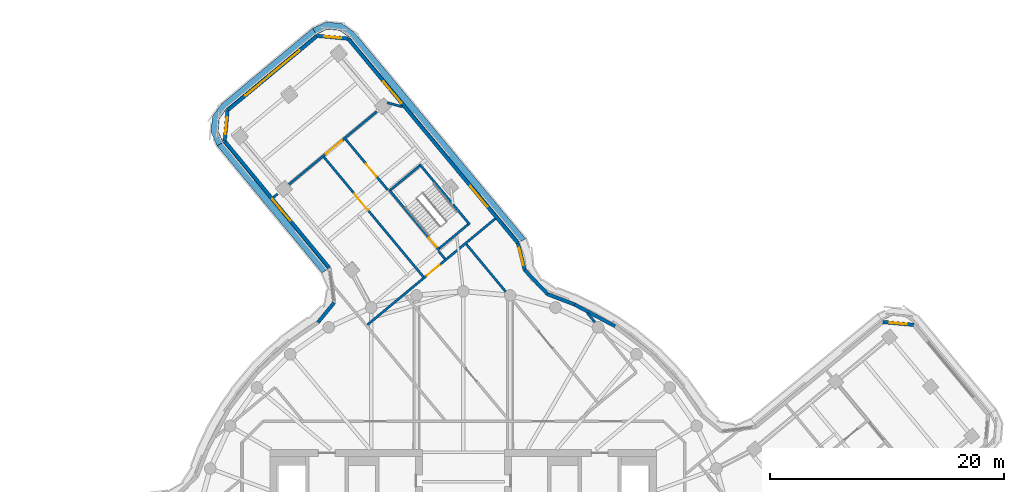
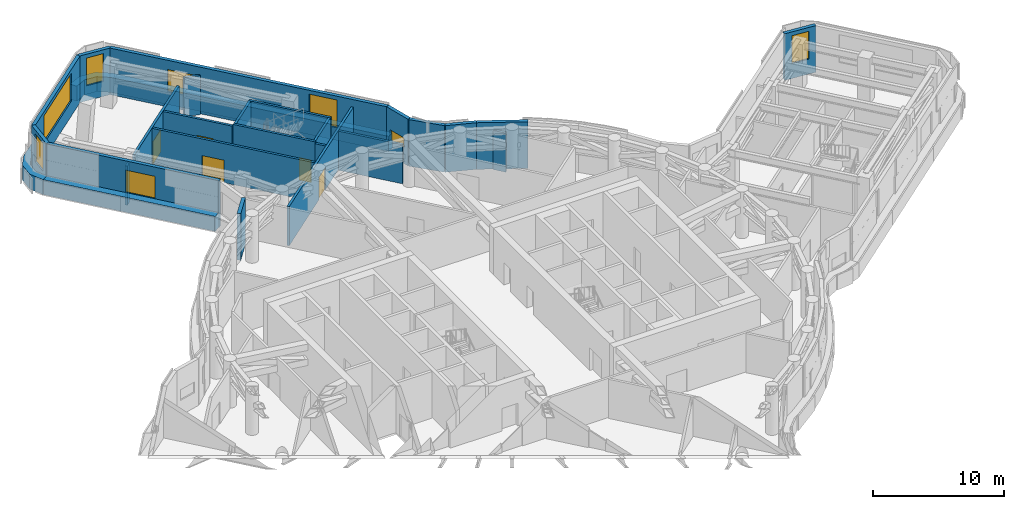
# One storey, part 13 of 22: 24 walls, 8 windows, 5 doors, 3 members, 13 openings.
"""IFC4 building model written with IfcOpenShell, lengths in metres."""

from ifc_helpers import new_model, si_unit, direction, frame, frame_2d, origin, place, context, subcontext, project, spatial, polyline, rectangle, outline, extrude, material, layer, layer_set, type_object, element, fill, aggregate, save


model = new_model("IFC4")

# Units and contexts
model_context = context("Model", 3, precision=1e-05, world=origin(), true_north=direction((0.0, 1.0)))
body_context = subcontext(model_context, "Body", "Model", "MODEL_VIEW")
ifc_project = project(units=[si_unit("LENGTHUNIT", "METRE"), si_unit("AREAUNIT", "SQUARE_METRE"), si_unit("VOLUMEUNIT", "CUBIC_METRE"), si_unit("PLANEANGLEUNIT", "RADIAN"), si_unit("MASSUNIT", "GRAM", prefix="KILO")], contexts=[model_context])

# Member
ifc_material_1 = material(Name="Aluminium and insulated spandrel panel", Category="aluminium")
member_type = type_object("IfcMemberType", Name="Floor-edge blade transom", PredefinedType="USERDEFINED", material=ifc_material_1)
site_placement = place(None, origin())
building_placement = place(site_placement, origin())
storey_placement = place(building_placement, frame((0.0, 0.0, 178.0)))
member_1_placement = place(storey_placement, origin())
member_1 = element("IfcMember", 1, at=member_1_placement, type_object=member_type, Name="CWT-L44-11", ObjectType="TRANSOM", PredefinedType="USERDEFINED", context=body_context, shape_type="SweptSolid", body=[
    extrude(outline(polyline([(4.7900390625, 27.18896484375), (-9.7353515625, 44.683349609375), (-10.580322265625, 45.281494140625), (-11.611083984375, 45.377197265625), (-12.5517578125, 44.9443359375), (-12.874267578125, 45.45654296875), (-11.7158203125, 45.989501953125), (-10.36474609375, 45.864013671875), (-9.32421875, 45.12744140625), (5.316650390625, 27.494140625), (4.7900390625, 27.18896484375)])), origin(), (0.0, 0.0, 1.0), 1.39990234375),
])

member_2_placement = place(storey_placement, origin())
member_2 = element("IfcMember", 2, at=member_2_placement, type_object=member_type, Name="CWT-L44-12", ObjectType="TRANSOM", PredefinedType="USERDEFINED", context=body_context, shape_type="SweptSolid", body=[
    extrude(outline(polyline([(-12.5517578125, 44.9443359375), (-20.245361328125, 38.556396484375), (-20.843505859375, 37.71142578125), (-20.939208984375, 36.6806640625), (-20.506591796875, 35.739990234375), (-21.01904296875, 35.41845703125), (-21.551513671875, 36.575927734375), (-21.42626953125, 37.927001953125), (-20.689453125, 38.967529296875), (-12.874267578125, 45.45654296875), (-12.5517578125, 44.9443359375)])), origin(), (0.0, 0.0, 1.0), 1.39990234375),
])

member_3_placement = place(storey_placement, origin())
member_3 = element("IfcMember", 3, at=member_3_placement, type_object=member_type, Name="CWT-L44-13", ObjectType="TRANSOM", PredefinedType="USERDEFINED", context=body_context, shape_type="SweptSolid", body=[
    extrude(outline(polyline([(-20.506591796875, 35.739990234375), (-11.555419921875, 24.895263671875), (-12.072998046875, 24.57958984375), (-21.01904296875, 35.41845703125), (-20.506591796875, 35.739990234375)])), origin(), (0.0, 0.0, 1.0), 1.39990234375),
])

# Site, building, storey
site = spatial("IfcSite", under=ifc_project, at=site_placement, CompositionType="ELEMENT")
building = spatial("IfcBuilding", under=site, at=building_placement, Name="Tamarind Cross Interchange Tower", CompositionType="ELEMENT")
storey = spatial("IfcBuildingStorey", under=building, at=storey_placement, Name="L44", CompositionType="ELEMENT", Elevation=178.0)

# Wall, opening, door
ifc_material_2 = material(Name="Gypsum board partition on steel studs", Category="steel")
ifc_layer_1 = layer(ifc_material_2, 0.199951171875)
ifc_layer_set_1 = layer_set([ifc_layer_1], Name="Gypsum board partition on steel studs")
wall_type_1 = type_object("IfcWallType", Name="Partition 200 mm EI 180", PredefinedType="PARTITIONING", material=ifc_layer_set_1)
wall_1_placement = place(storey_placement, frame((-11.91015625, 34.467041015625, 0.0), z_axis=(0.0, 0.0, 1.0), x_axis=(0.638751479964, -0.76941311845, 0.0)))
wall_1 = element("IfcWall", 4, at=wall_1_placement, inside=storey, type_object=wall_type_1, Name="Partition L44-008", PredefinedType="PARTITIONING", context=body_context, shape_type="SweptSolid", body=[
    extrude(rectangle(XDim=13.300048828125, YDim=0.199951171875, at=frame_2d((6.64990234375, 0.0))), origin(), (0.0, 0.0, 1.0), 3.659912109375),
])
opening_1_placement = place(wall_1_placement, frame((4.10009765625, 0.0, 0.0)))
opening_1 = element("IfcOpeningElement", 5, at=opening_1_placement, cuts=wall_1, Name="Opening D03", PredefinedType="OPENING", context=body_context, shape_type="SweptSolid", body=[
    extrude(rectangle(XDim=1.800048828125, YDim=2.10009765625, at=frame_2d((0.89990234375, 1.050048828125))), frame((0.0, 0.10986328125, 0.0), z_axis=(0.0, -1.0, 0.0), x_axis=(1.0, 0.0, 0.0)), (0.0, 0.0, 1.0), 0.219970703125),
])
ifc_material_3 = material(Name="Fire-resisting door set")
door_type_1 = type_object("IfcDoorType", Name="Interior door 1800 x 2100 FD120S", OperationType="DOUBLE_DOOR_SINGLE_SWING", PredefinedType="DOOR", material=ifc_material_3)
door_1_placement = place(opening_1_placement, frame((1.800048828125, 0.0, 0.0), z_axis=(0.0, 0.0, 1.0), x_axis=(-1.0, 0.0, 0.0)))
door_1 = element("IfcDoor", 6, at=door_1_placement, inside=storey, type_object=door_type_1, Name="Door D03", OperationType="DOUBLE_DOOR_SINGLE_SWING", OverallHeight=2.10009765625, OverallWidth=1.800048828125, PredefinedType="DOOR", context=body_context, shape_type="SweptSolid", body=[
    extrude(rectangle(XDim=1.800048828125, YDim=2.10009765625, at=frame_2d((0.89990234375, 1.050048828125))), frame((0.0, 0.02490234375, 0.0), z_axis=(0.0, -1.0, 0.0), x_axis=(1.0, 0.0, 0.0)), (0.0, 0.0, 1.0), 0.050048828125),
])
fill(opening_1, door_1)

wall_2_placement = place(storey_placement, frame((-10.05126953125, 35.984619140625, 0.0), z_axis=(0.0, 0.0, 1.0), x_axis=(0.638795500488, -0.769376571359, 0.0)))
wall_2 = element("IfcWall", 7, at=wall_2_placement, inside=storey, type_object=wall_type_1, Name="Partition L44-012", PredefinedType="PARTITIONING", context=body_context, shape_type="SweptSolid", body=[
    extrude(rectangle(XDim=5.640625, YDim=0.199951171875, at=frame_2d((2.8203125, 0.0))), origin(), (0.0, 0.0, 1.0), 3.659912109375),
])
opening_2_placement = place(wall_2_placement, frame((2.72998046875, 0.0, 0.0)))
opening_2 = element("IfcOpeningElement", 8, at=opening_2_placement, cuts=wall_2, Name="Opening D06", PredefinedType="OPENING", context=body_context, shape_type="SweptSolid", body=[
    extrude(rectangle(XDim=1.39990234375, YDim=2.10009765625, at=frame_2d((0.699951171875, 1.050048828125))), frame((0.0, 0.10986328125, 0.0), z_axis=(0.0, -1.0, 0.0), x_axis=(1.0, 0.0, 0.0)), (0.0, 0.0, 1.0), 0.219970703125),
])
door_type_2 = type_object("IfcDoorType", Name="Interior door 1400 x 2100 FD120S", OperationType="DOUBLE_DOOR_SINGLE_SWING", PredefinedType="DOOR", material=ifc_material_3)
door_2_placement = place(opening_2_placement, origin())
door_2 = element("IfcDoor", 9, at=door_2_placement, inside=storey, type_object=door_type_2, Name="Door D06", OperationType="DOUBLE_DOOR_SINGLE_SWING", OverallHeight=2.10009765625, OverallWidth=1.39990234375, PredefinedType="DOOR", context=body_context, shape_type="SweptSolid", body=[
    extrude(rectangle(XDim=1.39990234375, YDim=2.10009765625, at=frame_2d((0.699951171875, 1.050048828125))), frame((0.0, 0.02490234375, 0.0), z_axis=(0.0, -1.0, 0.0), x_axis=(1.0, 0.0, 0.0)), (0.0, 0.0, 1.0), 0.050048828125),
])
fill(opening_2, door_2)

# Walls
wall_3_placement = place(storey_placement, frame((-2.1171875, 26.428466796875, 0.0), z_axis=(0.0, 0.0, 1.0), x_axis=(0.638787086354, -0.769383557342, 0.0)))
element("IfcWall", 10, at=wall_3_placement, inside=storey, type_object=wall_type_1, Name="Partition L44-013", PredefinedType="PARTITIONING", context=body_context, shape_type="SweptSolid", body=[
    extrude(rectangle(XDim=0.85986328125, YDim=0.199951171875, at=frame_2d((0.429931640625, 0.0))), origin(), (0.0, 0.0, 1.0), 3.659912109375),
])
wall_4_placement = place(storey_placement, frame((0.2646484375, 27.003662109375, 0.0), z_axis=(0.0, 0.0, 1.0), x_axis=(0.638800609609, -0.769372329346, 0.0)))
element("IfcWall", 11, at=wall_4_placement, inside=storey, type_object=wall_type_1, Name="Partition L44-017", PredefinedType="PARTITIONING", context=body_context, shape_type="SweptSolid", body=[
    extrude(rectangle(XDim=5.24462890625, YDim=0.199951171875, at=frame_2d((2.622314453125, 0.0))), origin(), (0.0, 0.0, 1.0), 3.659912109375),
])
wall_5_placement = place(storey_placement, frame((10.5888671875, 21.14453125, 0.0), z_axis=(0.0, 0.0, 1.0), x_axis=(0.638680728565, -0.769471849362, 0.0)))
element("IfcWall", 12, at=wall_5_placement, inside=storey, type_object=wall_type_1, Name="Partition L44-024", PredefinedType="PARTITIONING", context=body_context, shape_type="SweptSolid", body=[
    extrude(rectangle(XDim=1.02294921875, YDim=0.199951171875, at=frame_2d((0.511474609375, 0.0))), origin(), (0.0, 0.0, 1.0), 3.659912109375),
])
wall_6_placement = place(storey_placement, frame((-16.21923828125, 31.0185546875, 0.0), z_axis=(0.0, 0.0, 1.0), x_axis=(0.769341564871, 0.63883766057, 0.0)))
element("IfcWall", 13, at=wall_6_placement, inside=storey, type_object=wall_type_1, Name="Partition L44-045", PredefinedType="PARTITIONING", context=body_context, shape_type="SweptSolid", body=[
    extrude(rectangle(XDim=0.4638671875, YDim=0.199951171875, at=frame_2d((0.23193359375, 0.0))), origin(), (0.0, 0.0, 1.0), 3.659912109375),
])

# Wall, opening, door
wall_7_placement = place(storey_placement, frame((-14.951904296875, 32.071044921875, 0.0), z_axis=(0.0, 0.0, 1.0), x_axis=(0.769322083472, 0.638861120966, 0.0)))
wall_7 = element("IfcWall", 14, at=wall_7_placement, inside=storey, type_object=wall_type_1, Name="Partition L44-046", PredefinedType="PARTITIONING", context=body_context, shape_type="SweptSolid", body=[
    extrude(rectangle(XDim=9.82470703125, YDim=0.199951171875, at=frame_2d((4.912353515625, 0.0))), origin(), (0.0, 0.0, 1.0), 3.659912109375),
])
opening_3_placement = place(wall_7_placement, frame((4.1708984375, 0.0, 0.0)))
opening_3 = element("IfcOpeningElement", 15, at=opening_3_placement, cuts=wall_7, Name="Opening D26", PredefinedType="OPENING", context=body_context, shape_type="SweptSolid", body=[
    extrude(rectangle(XDim=1.800048828125, YDim=2.10009765625, at=frame_2d((0.89990234375, 1.050048828125))), frame((0.0, 0.10986328125, 0.0), z_axis=(0.0, -1.0, 0.0), x_axis=(1.0, 0.0, 0.0)), (0.0, 0.0, 1.0), 0.219970703125),
])
door_3_placement = place(opening_3_placement, origin())
door_3 = element("IfcDoor", 16, at=door_3_placement, inside=storey, type_object=door_type_1, Name="Door D26", OperationType="DOUBLE_DOOR_SINGLE_SWING", OverallHeight=2.10009765625, OverallWidth=1.800048828125, PredefinedType="DOOR", context=body_context, shape_type="SweptSolid", body=[
    extrude(rectangle(XDim=1.800048828125, YDim=2.10009765625, at=frame_2d((0.89990234375, 1.050048828125))), frame((0.0, 0.02490234375, 0.0), z_axis=(0.0, -1.0, 0.0), x_axis=(1.0, 0.0, 0.0)), (0.0, 0.0, 1.0), 0.050048828125),
])
fill(opening_3, door_3)

# Wall
wall_8_placement = place(storey_placement, frame((-6.483154296875, 39.103759765625, 0.0), z_axis=(0.0, 0.0, 1.0), x_axis=(0.965039962168, -0.26210278789, 0.0)))
element("IfcWall", 17, at=wall_8_placement, inside=storey, type_object=wall_type_1, Name="Partition L44-047", PredefinedType="PARTITIONING", context=body_context, shape_type="SweptSolid", body=[
    extrude(rectangle(XDim=1.32373046875, YDim=0.199951171875, at=frame_2d((0.661865234375, 0.0))), origin(), (0.0, 0.0, 1.0), 3.659912109375),
])

# Wall, opening, door
wall_9_placement = place(storey_placement, frame((-8.1826171875, 20.1455078125, 0.0), z_axis=(0.0, 0.0, 1.0), x_axis=(0.769416749811, 0.638747105755, 0.0)))
wall_9 = element("IfcWall", 18, at=wall_9_placement, inside=storey, type_object=wall_type_1, Name="Partition L44-049", PredefinedType="PARTITIONING", context=body_context, shape_type="SweptSolid", body=[
    extrude(rectangle(XDim=14.17919921875, YDim=0.199951171875, at=frame_2d((7.089599609375, 0.0))), origin(), (0.0, 0.0, 1.0), 3.659912109375),
])
opening_4_placement = place(wall_9_placement, frame((6.579833984375, 0.0, 0.0)))
opening_4 = element("IfcOpeningElement", 19, at=opening_4_placement, cuts=wall_9, Name="Opening D27", PredefinedType="OPENING", context=body_context, shape_type="SweptSolid", body=[
    extrude(rectangle(XDim=1.39990234375, YDim=2.10009765625, at=frame_2d((0.699951171875, 1.050048828125))), frame((0.0, 0.10986328125, 0.0), z_axis=(0.0, -1.0, 0.0), x_axis=(1.0, 0.0, 0.0)), (0.0, 0.0, 1.0), 0.219970703125),
])
door_4_placement = place(opening_4_placement, frame((1.39990234375, 0.0, 0.0), z_axis=(0.0, 0.0, 1.0), x_axis=(-1.0, 0.0, 0.0)))
door_4 = element("IfcDoor", 20, at=door_4_placement, inside=storey, type_object=door_type_2, Name="Door D27", OperationType="DOUBLE_DOOR_SINGLE_SWING", OverallHeight=2.10009765625, OverallWidth=1.39990234375, PredefinedType="DOOR", context=body_context, shape_type="SweptSolid", body=[
    extrude(rectangle(XDim=1.39990234375, YDim=2.10009765625, at=frame_2d((0.699951171875, 1.050048828125))), frame((0.0, 0.02490234375, 0.0), z_axis=(0.0, -1.0, 0.0), x_axis=(1.0, 0.0, 0.0)), (0.0, 0.0, 1.0), 0.050048828125),
])
fill(opening_4, door_4)

# Wall, opening, window
ifc_material_4 = material(Name="Precast concrete C40", Category="concrete")
ifc_layer_2 = layer(ifc_material_4, 0.300048828125)
ifc_layer_set_2 = layer_set([ifc_layer_2], Name="Precast concrete C40")
wall_type_2 = type_object("IfcWallType", Name="Plant louvre wall", PredefinedType="SOLIDWALL", material=ifc_layer_set_2)
wall_10_placement = place(storey_placement, frame((38.45361328125, 20.13427734375, 0.0), z_axis=(0.0, 0.0, 1.0), x_axis=(-0.995728893751, 0.092325349444, 0.0)))
wall_10 = element("IfcWall", 21, at=wall_10_placement, inside=storey, type_object=wall_type_2, Name="EXW-L44-08-01", PredefinedType="SOLIDWALL", context=body_context, shape_type="SweptSolid", body=[
    extrude(rectangle(XDim=2.644287109375, YDim=0.300048828125, at=frame_2d((1.322265625, 0.0))), origin(), (0.0, 0.0, 1.0), 4.360107421875),
])
opening_5_placement = place(wall_10_placement, frame((0.60009765625, 0.0, 1.39990234375)))
opening_5 = element("IfcOpeningElement", 22, at=opening_5_placement, cuts=wall_10, Name="Opening W2", PredefinedType="OPENING", context=body_context, shape_type="SweptSolid", body=[
    extrude(rectangle(XDim=1.4443359375, YDim=2.60009765625, at=frame_2d((0.72216796875, 1.300048828125))), frame((0.0, 0.159912109375, 0.0), z_axis=(0.0, -1.0, 0.0), x_axis=(1.0, 0.0, 0.0)), (0.0, 0.0, 1.0), 0.320068359375),
])
ifc_material_5 = material(Name="Aluminium louvre", Category="aluminium")
window_type_1 = type_object("IfcWindowType", Name="Plant louvre bank", PartitioningType="SINGLE_PANEL", PredefinedType="WINDOW", material=ifc_material_5)
window_1_placement = place(opening_5_placement, origin())
window_1 = element("IfcWindow", 23, at=window_1_placement, inside=storey, type_object=window_type_1, Name="WIN-L44-08-01", OverallHeight=2.60009765625, OverallWidth=1.4443359375, PartitioningType="SINGLE_PANEL", PredefinedType="WINDOW", context=body_context, shape_type="SweptSolid", body=[
    extrude(rectangle(XDim=1.4443359375, YDim=2.60009765625, at=frame_2d((0.72216796875, 1.300048828125))), frame((0.0, 0.030029296875, 0.0), z_axis=(0.0, -1.0, 0.0), x_axis=(1.0, 0.0, 0.0)), (0.0, 0.0, 1.0), 0.06005859375),
])
fill(opening_5, window_1)

# Walls
wall_11_placement = place(storey_placement, frame((12.956298828125, 20.018798828125, 0.0), z_axis=(0.0, 0.0, 1.0), x_axis=(-0.881502086513, 0.472180126088, 0.0)))
element("IfcWall", 24, at=wall_11_placement, inside=storey, type_object=wall_type_2, Name="EXW-L44-10-05", PredefinedType="SOLIDWALL", context=body_context, shape_type="SweptSolid", body=[
    extrude(rectangle(XDim=3.9384765625, YDim=0.300048828125, at=frame_2d((1.96923828125, 0.0))), origin(), (0.0, 0.0, 1.0), 4.360107421875),
])
wall_12_placement = place(storey_placement, frame((9.484619140625, 21.87841796875, 0.0), z_axis=(0.0, 0.0, 1.0), x_axis=(-0.934589006156, 0.355729376875, 0.0)))
element("IfcWall", 25, at=wall_12_placement, inside=storey, type_object=wall_type_2, Name="EXW-L44-10-06", PredefinedType="SOLIDWALL", context=body_context, shape_type="SweptSolid", body=[
    extrude(rectangle(XDim=2.443359375, YDim=0.300048828125, at=frame_2d((1.2216796875, 0.0))), origin(), (0.0, 0.0, 1.0), 4.360107421875),
])
wall_13_placement = place(storey_placement, frame((7.201171875, 22.74755859375, 0.0), z_axis=(0.0, 0.0, 1.0), x_axis=(-0.68820939497, 0.725512114768, 0.0)))
element("IfcWall", 26, at=wall_13_placement, inside=storey, type_object=wall_type_2, Name="EXW-L44-10-07", PredefinedType="SOLIDWALL", context=body_context, shape_type="SweptSolid", body=[
    extrude(rectangle(XDim=2.840576171875, YDim=0.300048828125, at=frame_2d((1.42041015625, 0.0))), origin(), (0.0, 0.0, 1.0), 4.360107421875),
])

# Wall, opening, window
wall_14_placement = place(storey_placement, frame((5.246337890625, 24.808349609375, 0.0), z_axis=(0.0, 0.0, 1.0), x_axis=(-0.247219185913, 0.968959583325, 0.0)))
wall_14 = element("IfcWall", 27, at=wall_14_placement, inside=storey, type_object=wall_type_2, Name="EXW-L44-10-08", PredefinedType="SOLIDWALL", context=body_context, shape_type="SweptSolid", body=[
    extrude(rectangle(XDim=2.3779296875, YDim=0.300048828125, at=frame_2d((1.18896484375, 0.0))), origin(), (0.0, 0.0, 1.0), 4.360107421875),
])
opening_6_placement = place(wall_14_placement, frame((0.449951171875, 0.0, 1.39990234375)))
opening_6 = element("IfcOpeningElement", 28, at=opening_6_placement, cuts=wall_14, Name="Opening W5", PredefinedType="OPENING", context=body_context, shape_type="SweptSolid", body=[
    extrude(rectangle(XDim=1.5, YDim=1.0, at=frame_2d((0.75, 0.5))), frame((0.0, 0.159912109375, 0.0), z_axis=(0.0, -1.0, 0.0), x_axis=(1.0, 0.0, 0.0)), (0.0, 0.0, 1.0), 0.320068359375),
])
ifc_material_6 = material(Name="Aluminium and fire-resisting glass", Category="aluminium")
window_type_2 = type_object("IfcWindowType", Name="Refuge opening window", PartitioningType="DOUBLE_PANEL_VERTICAL", PredefinedType="WINDOW", material=ifc_material_6)
window_2_placement = place(opening_6_placement, origin())
window_2 = element("IfcWindow", 29, at=window_2_placement, inside=storey, type_object=window_type_2, Name="RSW-L44-10-00", OverallHeight=1.0, OverallWidth=1.5, PartitioningType="SINGLE_PANEL", PredefinedType="WINDOW", context=body_context, shape_type="SweptSolid", body=[
    extrude(rectangle(XDim=1.5, YDim=1.0, at=frame_2d((0.75, 0.5))), frame((0.0, 0.030029296875, 0.0), z_axis=(0.0, -1.0, 0.0), x_axis=(1.0, 0.0, 0.0)), (0.0, 0.0, 1.0), 0.06005859375),
])
fill(opening_6, window_2)

# Wall, openings, windows
wall_15_placement = place(storey_placement, frame((4.658447265625, 27.112548828125, 0.0), z_axis=(0.0, 0.0, 1.0), x_axis=(-0.6388003164, 0.769372572794, 0.0)))
wall_15 = element("IfcWall", 30, at=wall_15_placement, inside=storey, type_object=wall_type_2, Name="EXW-L44-11-00", PredefinedType="SOLIDWALL", context=body_context, shape_type="SweptSolid", body=[
    extrude(rectangle(XDim=22.693359375, YDim=0.300048828125, at=frame_2d((11.3466796875, 0.0))), origin(), (0.0, 0.0, 1.0), 4.360107421875),
])
opening_7_placement = place(wall_15_placement, frame((4.091552734375, 0.0, 1.39990234375)))
opening_7 = element("IfcOpeningElement", 31, at=opening_7_placement, cuts=wall_15, Name="Opening W2", PredefinedType="OPENING", context=body_context, shape_type="SweptSolid", body=[
    extrude(rectangle(XDim=2.262451171875, YDim=2.60009765625, at=frame_2d((1.13134765625, 1.300048828125))), frame((0.0, 0.159912109375, 0.0), z_axis=(0.0, -1.0, 0.0), x_axis=(1.0, 0.0, 0.0)), (0.0, 0.0, 1.0), 0.320068359375),
])
opening_8_placement = place(wall_15_placement, frame((15.550048828125, 0.0, 1.39990234375)))
opening_8 = element("IfcOpeningElement", 32, at=opening_8_placement, cuts=wall_15, Name="Opening W3", PredefinedType="OPENING", context=body_context, shape_type="SweptSolid", body=[
    extrude(rectangle(XDim=2.39990234375, YDim=2.10009765625, at=frame_2d((1.199951171875, 1.050048828125))), frame((0.0, 0.159912109375, 0.0), z_axis=(0.0, -1.0, 0.0), x_axis=(1.0, 0.0, 0.0)), (0.0, 0.0, 1.0), 0.320068359375),
])
window_3_placement = place(opening_7_placement, origin())
window_3 = element("IfcWindow", 33, at=window_3_placement, inside=storey, type_object=window_type_1, Name="WIN-L44-11-00", OverallHeight=2.60009765625, OverallWidth=2.262451171875, PartitioningType="SINGLE_PANEL", PredefinedType="WINDOW", context=body_context, shape_type="SweptSolid", body=[
    extrude(rectangle(XDim=2.262451171875, YDim=2.60009765625, at=frame_2d((1.13134765625, 1.300048828125))), frame((0.0, 0.030029296875, 0.0), z_axis=(0.0, -1.0, 0.0), x_axis=(1.0, 0.0, 0.0)), (0.0, 0.0, 1.0), 0.06005859375),
])
fill(opening_7, window_3)
window_type_3 = type_object("IfcWindowType", Name="Refuge rescue window", PartitioningType="DOUBLE_PANEL_VERTICAL", PredefinedType="WINDOW", material=ifc_material_6)
window_4_placement = place(opening_8_placement, origin())
window_4 = element("IfcWindow", 34, at=window_4_placement, inside=storey, type_object=window_type_3, Name="RSW-L44-11-00", OverallHeight=2.10009765625, OverallWidth=2.39990234375, PartitioningType="SINGLE_PANEL", PredefinedType="WINDOW", context=body_context, shape_type="SweptSolid", body=[
    extrude(rectangle(XDim=2.39990234375, YDim=2.10009765625, at=frame_2d((1.199951171875, 1.050048828125))), frame((0.0, 0.030029296875, 0.0), z_axis=(0.0, -1.0, 0.0), x_axis=(1.0, 0.0, 0.0)), (0.0, 0.0, 1.0), 0.06005859375),
])
fill(opening_8, window_4)

aggregate(wall_15, [member_1])

# Wall, opening, window
wall_16_placement = place(storey_placement, frame((-9.838134765625, 44.572265625, 0.0), z_axis=(0.0, 0.0, 1.0), x_axis=(-0.995728106664, 0.092333837784, 0.0)))
wall_16 = element("IfcWall", 35, at=wall_16_placement, inside=storey, type_object=wall_type_2, Name="EXW-L44-11-01", PredefinedType="SOLIDWALL", context=body_context, shape_type="SweptSolid", body=[
    extrude(rectangle(XDim=2.64404296875, YDim=0.300048828125, at=frame_2d((1.322021484375, 0.0))), origin(), (0.0, 0.0, 1.0), 4.360107421875),
])
opening_9_placement = place(wall_16_placement, frame((0.60009765625, 0.0, 1.39990234375)))
opening_9 = element("IfcOpeningElement", 36, at=opening_9_placement, cuts=wall_16, Name="Opening W2", PredefinedType="OPENING", context=body_context, shape_type="SweptSolid", body=[
    extrude(rectangle(XDim=1.4443359375, YDim=2.60009765625, at=frame_2d((0.72216796875, 1.300048828125))), frame((0.0, 0.159912109375, 0.0), z_axis=(0.0, -1.0, 0.0), x_axis=(1.0, 0.0, 0.0)), (0.0, 0.0, 1.0), 0.320068359375),
])
window_5_placement = place(opening_9_placement, origin())
window_5 = element("IfcWindow", 37, at=window_5_placement, inside=storey, type_object=window_type_1, Name="WIN-L44-11-01", OverallHeight=2.60009765625, OverallWidth=1.4443359375, PartitioningType="SINGLE_PANEL", PredefinedType="WINDOW", context=body_context, shape_type="SweptSolid", body=[
    extrude(rectangle(XDim=1.4443359375, YDim=2.60009765625, at=frame_2d((0.72216796875, 1.300048828125))), frame((0.0, 0.030029296875, 0.0), z_axis=(0.0, -1.0, 0.0), x_axis=(1.0, 0.0, 0.0)), (0.0, 0.0, 1.0), 0.06005859375),
])
fill(opening_9, window_5)

wall_17_placement = place(storey_placement, frame((-12.470947265625, 44.81640625, 0.0), z_axis=(0.0, 0.0, 1.0), x_axis=(-0.769371244083, -0.638801916699, 0.0)))
wall_17 = element("IfcWall", 38, at=wall_17_placement, inside=storey, type_object=wall_type_2, Name="EXW-L44-12-00", PredefinedType="SOLIDWALL", context=body_context, shape_type="SweptSolid", body=[
    extrude(rectangle(XDim=9.96044921875, YDim=0.300048828125, at=frame_2d((4.980224609375, 0.0))), origin(), (0.0, 0.0, 1.0), 4.360107421875),
])
opening_10_placement = place(wall_17_placement, frame((1.980224609375, 0.0, 1.39990234375)))
opening_10 = element("IfcOpeningElement", 39, at=opening_10_placement, cuts=wall_17, Name="Opening W2", PredefinedType="OPENING", context=body_context, shape_type="SweptSolid", body=[
    extrude(rectangle(XDim=6.0, YDim=2.60009765625, at=frame_2d((3.0, 1.300048828125))), frame((0.0, 0.159912109375, 0.0), z_axis=(0.0, -1.0, 0.0), x_axis=(1.0, 0.0, 0.0)), (0.0, 0.0, 1.0), 0.320068359375),
])
window_6_placement = place(opening_10_placement, origin())
window_6 = element("IfcWindow", 40, at=window_6_placement, inside=storey, type_object=window_type_1, Name="WIN-L44-12-00", OverallHeight=2.60009765625, OverallWidth=6.0, PartitioningType="SINGLE_PANEL", PredefinedType="WINDOW", context=body_context, shape_type="SweptSolid", body=[
    extrude(rectangle(XDim=6.0, YDim=2.60009765625, at=frame_2d((3.0, 1.300048828125))), frame((0.0, 0.030029296875, 0.0), z_axis=(0.0, -1.0, 0.0), x_axis=(1.0, 0.0, 0.0)), (0.0, 0.0, 1.0), 0.06005859375),
])
fill(opening_10, window_6)

aggregate(wall_17, [member_2])

wall_18_placement = place(storey_placement, frame((-20.13427734375, 38.45361328125, 0.0), z_axis=(0.0, 0.0, 1.0), x_axis=(-0.092325349444, -0.995728893751, 0.0)))
wall_18 = element("IfcWall", 41, at=wall_18_placement, inside=storey, type_object=wall_type_2, Name="EXW-L44-12-01", PredefinedType="SOLIDWALL", context=body_context, shape_type="SweptSolid", body=[
    extrude(rectangle(XDim=2.644287109375, YDim=0.300048828125, at=frame_2d((1.322265625, 0.0))), origin(), (0.0, 0.0, 1.0), 4.360107421875),
])
opening_11_placement = place(wall_18_placement, frame((0.60009765625, 0.0, 1.39990234375)))
opening_11 = element("IfcOpeningElement", 42, at=opening_11_placement, cuts=wall_18, Name="Opening W2", PredefinedType="OPENING", context=body_context, shape_type="SweptSolid", body=[
    extrude(rectangle(XDim=1.4443359375, YDim=2.60009765625, at=frame_2d((0.72216796875, 1.300048828125))), frame((0.0, 0.159912109375, 0.0), z_axis=(0.0, -1.0, 0.0), x_axis=(1.0, 0.0, 0.0)), (0.0, 0.0, 1.0), 0.320068359375),
])
window_7_placement = place(opening_11_placement, origin())
window_7 = element("IfcWindow", 43, at=window_7_placement, inside=storey, type_object=window_type_1, Name="WIN-L44-12-01", OverallHeight=2.60009765625, OverallWidth=1.4443359375, PartitioningType="SINGLE_PANEL", PredefinedType="WINDOW", context=body_context, shape_type="SweptSolid", body=[
    extrude(rectangle(XDim=1.4443359375, YDim=2.60009765625, at=frame_2d((0.72216796875, 1.300048828125))), frame((0.0, 0.030029296875, 0.0), z_axis=(0.0, -1.0, 0.0), x_axis=(1.0, 0.0, 0.0)), (0.0, 0.0, 1.0), 0.06005859375),
])
fill(opening_11, window_7)

wall_19_placement = place(storey_placement, frame((-20.37841796875, 35.820556640625, 0.0), z_axis=(0.0, 0.0, 1.0), x_axis=(0.63655569464, -0.771230735656, 0.0)))
wall_19 = element("IfcWall", 44, at=wall_19_placement, inside=storey, type_object=wall_type_2, Name="EXW-L44-13-00", PredefinedType="SOLIDWALL", context=body_context, shape_type="SweptSolid", body=[
    extrude(rectangle(XDim=14.063720703125, YDim=0.300048828125, at=frame_2d((7.03173828125, 0.0))), origin(), (0.0, 0.0, 1.0), 4.360107421875),
])
opening_12_placement = place(wall_19_placement, frame((6.39990234375, 0.0, 1.39990234375)))
opening_12 = element("IfcOpeningElement", 45, at=opening_12_placement, cuts=wall_19, Name="Opening W3", PredefinedType="OPENING", context=body_context, shape_type="SweptSolid", body=[
    extrude(rectangle(XDim=2.39990234375, YDim=2.10009765625, at=frame_2d((1.199951171875, 1.050048828125))), frame((0.0, 0.159912109375, 0.0), z_axis=(0.0, -1.0, 0.0), x_axis=(1.0, 0.0, 0.0)), (0.0, 0.0, 1.0), 0.320068359375),
])
window_8_placement = place(opening_12_placement, origin())
window_8 = element("IfcWindow", 46, at=window_8_placement, inside=storey, type_object=window_type_3, Name="RSW-L44-13-00", OverallHeight=2.10009765625, OverallWidth=2.39990234375, PartitioningType="SINGLE_PANEL", PredefinedType="WINDOW", context=body_context, shape_type="SweptSolid", body=[
    extrude(rectangle(XDim=2.39990234375, YDim=2.10009765625, at=frame_2d((1.199951171875, 1.050048828125))), frame((0.0, 0.030029296875, 0.0), z_axis=(0.0, -1.0, 0.0), x_axis=(1.0, 0.0, 0.0)), (0.0, 0.0, 1.0), 0.06005859375),
])
fill(opening_12, window_8)

aggregate(wall_19, [member_3])

# Wall
wall_20_placement = place(storey_placement, frame((-11.0361328125, 22.023681640625, 0.0), z_axis=(0.0, 0.0, 1.0), x_axis=(-0.633922449178, -0.773396617802, 0.0)))
element("IfcWall", 47, at=wall_20_placement, inside=storey, type_object=wall_type_2, Name="EXW-L44-14-01", PredefinedType="SOLIDWALL", context=body_context, shape_type="SweptSolid", body=[
    extrude(rectangle(XDim=2.174072265625, YDim=0.300048828125, at=frame_2d((1.0869140625, 0.0))), origin(), (0.0, 0.0, 1.0), 4.360107421875),
])

# Wall, opening, door
ifc_material_7 = material(Name="Concrete C40", Category="concrete")
ifc_layer_3 = layer(ifc_material_7, 0.199951171875)
ifc_layer_set_3 = layer_set([ifc_layer_3], Name="Concrete C40")
wall_type_3 = type_object("IfcWallType", Name="Stair shaft wall 200 mm Concrete C40", PredefinedType="SHEAR", material=ifc_layer_set_3)
wall_21_placement = place(storey_placement, frame((-2.066162109375, 26.5234375, -0.179931640625), z_axis=(0.0, 0.0, 1.0), x_axis=(-0.638785494438, 0.76938487904, 0.0)))
wall_21 = element("IfcWall", 48, at=wall_21_placement, inside=storey, type_object=wall_type_3, Name="Core wall CWL-L44-ST4-H", PredefinedType="SHEAR", context=body_context, shape_type="SweptSolid", body=[
    extrude(rectangle(XDim=6.699951171875, YDim=0.199951171875, at=frame_2d((3.35009765625, 0.0))), origin(), (0.0, 0.0, 1.0), 3.94384765625),
])
opening_13_placement = place(wall_21_placement, frame((0.35009765625, 0.0, 0.0)))
opening_13 = element("IfcOpeningElement", 49, at=opening_13_placement, cuts=wall_21, Name="Opening ST4L44", PredefinedType="OPENING", context=body_context, shape_type="SweptSolid", body=[
    extrude(rectangle(XDim=1.0, YDim=2.10009765625, at=frame_2d((0.5, 1.050048828125))), frame((0.0, 0.10986328125, 0.0), z_axis=(0.0, -1.0, 0.0), x_axis=(1.0, 0.0, 0.0)), (0.0, 0.0, 1.0), 0.219970703125),
])
ifc_material_8 = material(Name="Steel, fire-resisting", Category="steel")
door_type_3 = type_object("IfcDoorType", Name="Core fire door 1000 x 2100 FD90", OperationType="SINGLE_SWING_LEFT", PredefinedType="DOOR", material=ifc_material_8)
door_5_placement = place(opening_13_placement, origin())
door_5 = element("IfcDoor", 50, at=door_5_placement, inside=storey, type_object=door_type_3, Name="L44 stair door ST4", OperationType="SINGLE_SWING_LEFT", OverallHeight=2.10009765625, OverallWidth=1.0, PredefinedType="DOOR", context=body_context, shape_type="SweptSolid", body=[
    extrude(rectangle(XDim=1.0, YDim=2.10009765625, at=frame_2d((0.5, 1.050048828125))), frame((0.0, 0.02490234375, 0.0), z_axis=(0.0, -1.0, 0.0), x_axis=(1.0, 0.0, 0.0)), (0.0, 0.0, 1.0), 0.050048828125),
])
fill(opening_13, door_5)

# Walls
wall_22_placement = place(storey_placement, frame((0.5498046875, 28.6953125, -0.179931640625), z_axis=(0.0, 0.0, 1.0), x_axis=(-0.638785494438, 0.76938487904, 0.0)))
element("IfcWall", 51, at=wall_22_placement, inside=storey, type_object=wall_type_3, Name="Core wall CWL-L44-ST4-C", PredefinedType="SHEAR", context=body_context, shape_type="SweptSolid", body=[
    extrude(rectangle(XDim=6.699951171875, YDim=0.199951171875, at=frame_2d((3.35009765625, 0.0))), origin(), (0.0, 0.0, 1.0), 3.94384765625),
])
wall_23_placement = place(storey_placement, frame((0.408935546875, 28.70849609375, -0.179931640625), z_axis=(0.0, 0.0, 1.0), x_axis=(-0.769358235985, -0.638817583291, 0.0)))
element("IfcWall", 52, at=wall_23_placement, inside=storey, type_object=wall_type_3, Name="Core wall CWL-L44-ST4-CE", PredefinedType="SHEAR", context=body_context, shape_type="SweptSolid", body=[
    extrude(rectangle(XDim=3.199951171875, YDim=0.199951171875, at=frame_2d((1.60009765625, 0.0))), origin(), (0.0, 0.0, 1.0), 3.94384765625),
])
wall_24_placement = place(storey_placement, frame((0.0, 0.0, -0.179931640625)))
element("IfcWall", 53, at=wall_24_placement, inside=storey, type_object=wall_type_3, Name="Core wall CWL-L44-ST4-CF", PredefinedType="SHEAR", context=body_context, shape_type="SweptSolid", body=[
    extrude(outline(polyline([(-3.67919921875, 33.63232421875), (-3.80712890625, 33.786376953125), (-6.26904296875, 31.7421875), (-6.141357421875, 31.588134765625), (-3.67919921875, 33.63232421875)])), origin(), (0.0, 0.0, 1.0), 3.94384765625),
])

save(model, "model.ifc")
